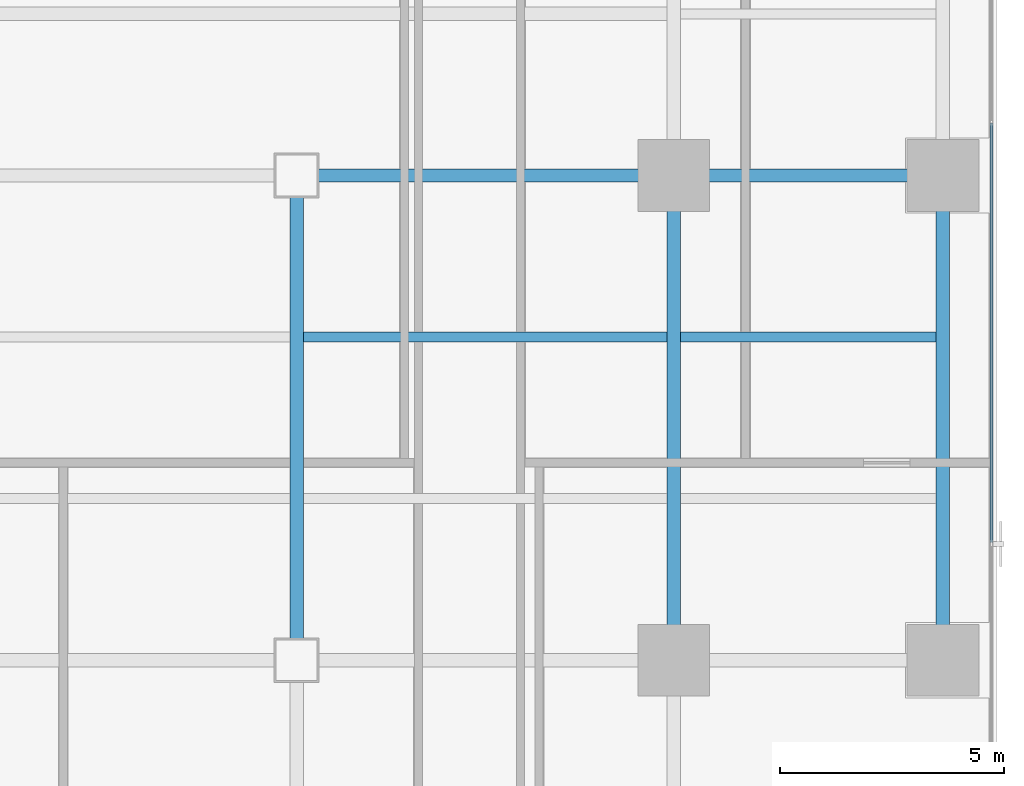
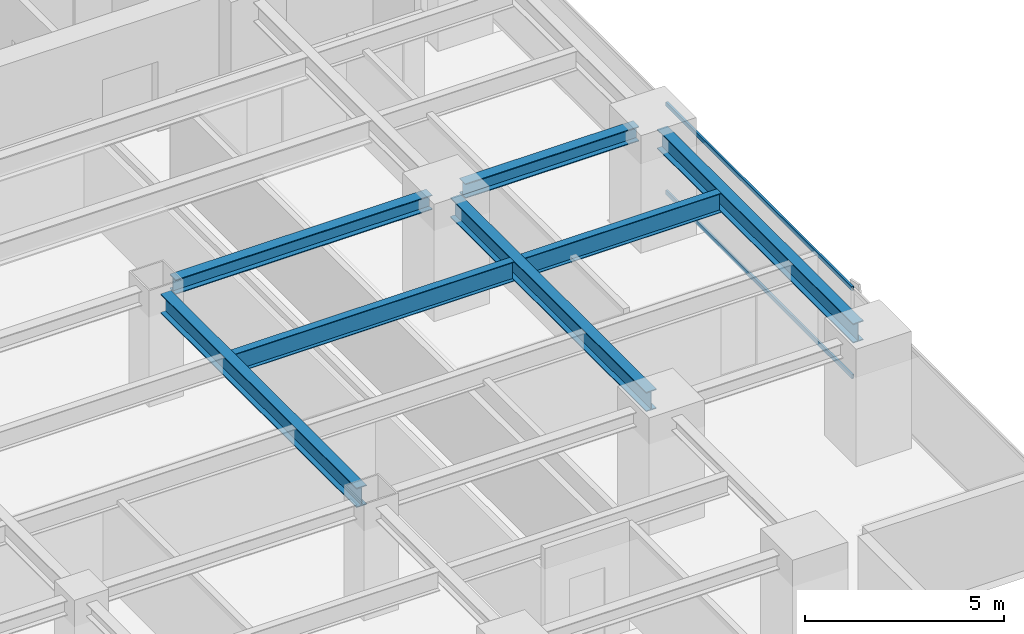
# One storey, part 12 of 28: 7 beams, 2 members, 1 element without a shape of its own.
"""IFC4 building model written with IfcOpenShell, lengths in metres."""

from ifc_helpers import new_model, si_unit, direction, frame, origin, origin_2d, place, context, subcontext, project, spatial, hollow_rectangle, i_section, extrude, source, transform, mapped, material, layer, layer_set, material_profile, profile_set, type_object, element, aggregate, save


model = new_model("IFC4")

# Units and contexts
model_context = context("Model", 3, precision=1e-05, world=origin(), true_north=direction((0.0, 1.0)))
body_context = subcontext(model_context, "Body", "Model", "MODEL_VIEW")
ifc_project = project(units=[si_unit("LENGTHUNIT", "METRE"), si_unit("AREAUNIT", "SQUARE_METRE"), si_unit("VOLUMEUNIT", "CUBIC_METRE"), si_unit("PLANEANGLEUNIT", "RADIAN"), si_unit("MASSUNIT", "GRAM", prefix="KILO")], contexts=[model_context])

# Site, building, storey
site_placement = place(None, origin())
site = spatial("IfcSite", under=ifc_project, at=site_placement, CompositionType="ELEMENT")
building_placement = place(site_placement, origin())
building = spatial("IfcBuilding", under=site, at=building_placement, Name="Sumidabori Civic Tower", CompositionType="ELEMENT")
storey_placement = place(building_placement, frame((0.0, 0.0, 174.800048828125)))
storey = spatial("IfcBuildingStorey", under=building, at=storey_placement, Name="L45", CompositionType="ELEMENT", Elevation=174.800048828125)

# Beams
ifc_material_1 = material(Name="Steel SN490", Category="steel")
ifc_material_profile_1 = material_profile(ifc_material_1, i_section(OverallWidth=0.300048828125, OverallDepth=0.60009765625, WebThickness=0.015380859375, FlangeThickness=0.030029296875, at=origin_2d()), Name="HE 600 B")
ifc_profile_set_1 = profile_set([ifc_material_profile_1], Name="Steel SN490")
beam_type_1 = type_object("IfcBeamType", Name="BM-GIRD-600", PredefinedType="BEAM", material=ifc_profile_set_1)
shared_shape_1 = source(origin(), body_context, "Body", "SweptSolid", [
    extrude(i_section(OverallWidth=0.300048828125, OverallDepth=0.60009765625, WebThickness=0.015380859375, FlangeThickness=0.030029296875, at=origin_2d()), origin(), (0.0, 0.0, 1.0), 9.840087890625),
])
for number, where, z_axis, x_axis, name in (
    (1, (8.39990234375, -10.320068359375, 3.079833984375), (0.0, 1.0, 0.0), (-1.0, 0.0, 0.0), "Primary Girder L45 GY-31"),
    (2, (16.800048828125, -10.320068359375, 3.079833984375), (0.0, 1.0, 0.0), (-1.0, 0.0, 0.0), "Primary Girder L45 GY-33"),
    (3, (22.800048828125, -10.320068359375, 3.079833984375), (0.0, 1.0, 0.0), (-1.0, 0.0, 0.0), "Primary Girder L45 GY-36"),
):
    element("IfcBeam", number, at=place(storey_placement, frame(where, z_axis=z_axis, x_axis=x_axis)), inside=storey, type_object=beam_type_1, Name=name, PredefinedType="BEAM", context=body_context, shape_type="MappedRepresentation", body=[
        mapped(shared_shape_1, transform((0.0, 0.0, 0.0), x_axis=(1.0, 0.0, 0.0), y_axis=(0.0, 1.0, 0.0), z_axis=(0.0, 0.0, 1.0), scale=1.0)),
    ])
ifc_material_profile_2 = material_profile(ifc_material_1, i_section(OverallWidth=0.219970703125, OverallDepth=0.60009765625, WebThickness=0.011962890625, FlangeThickness=0.01904296875, at=origin_2d()), Name="IPE 600")
ifc_profile_set_2 = profile_set([ifc_material_profile_2], Name="Steel SN490")
beam_type_2 = type_object("IfcBeamType", Name="BM-JST-600", PredefinedType="JOIST", material=ifc_profile_set_2)
shared_shape_2 = source(origin(), body_context, "Body", "SweptSolid", [
    extrude(i_section(OverallWidth=0.219970703125, OverallDepth=0.60009765625, WebThickness=0.011962890625, FlangeThickness=0.01904296875, at=origin_2d()), origin(), (0.0, 0.0, 1.0), 5.699951171875),
])
beam_1_placement = place(storey_placement, frame((16.949951171875, -3.60009765625, 3.079833984375), z_axis=(1.0, 0.0, 0.0), x_axis=(0.0, 1.0, 0.0)))
element("IfcBeam", 4, at=beam_1_placement, inside=storey, type_object=beam_type_2, Name="Outer Bay Floor Joist L45 JSTO-42", PredefinedType="JOIST", context=body_context, shape_type="MappedRepresentation", body=[
    mapped(shared_shape_2, transform((0.0, 0.0, 0.0), x_axis=(1.0, 0.0, 0.0), y_axis=(0.0, 1.0, 0.0), z_axis=(0.0, 0.0, 1.0), scale=1.0)),
])
shared_shape_3 = source(origin(), body_context, "Body", "SweptSolid", [
    extrude(i_section(OverallWidth=0.219970703125, OverallDepth=0.60009765625, WebThickness=0.011962890625, FlangeThickness=0.01904296875, at=origin_2d()), origin(), (0.0, 0.0, 1.0), 8.099853515625),
])
beam_2_placement = place(storey_placement, frame((8.550048828125, -3.60009765625, 3.079833984375), z_axis=(1.0, 0.0, 0.0), x_axis=(0.0, 1.0, 0.0)))
element("IfcBeam", 5, at=beam_2_placement, inside=storey, type_object=beam_type_2, Name="South Bay Floor Joist L45 JSTS-60", PredefinedType="JOIST", context=body_context, shape_type="MappedRepresentation", body=[
    mapped(shared_shape_3, transform((0.0, 0.0, 0.0), x_axis=(1.0, 0.0, 0.0), y_axis=(0.0, 1.0, 0.0), z_axis=(0.0, 0.0, 1.0), scale=1.0)),
])
ifc_material_profile_3 = material_profile(ifc_material_1, i_section(OverallWidth=0.300048828125, OverallDepth=0.449951171875, WebThickness=0.013916015625, FlangeThickness=0.02587890625, at=origin_2d()), Name="HE 450 B")
ifc_profile_set_3 = profile_set([ifc_material_profile_3], Name="Steel SN490")
beam_type_3 = type_object("IfcBeamType", Name="BM-GIRD-450", PredefinedType="BEAM", material=ifc_profile_set_3)
shared_shape_4 = source(origin(), body_context, "Body", "SweptSolid", [
    extrude(i_section(OverallWidth=0.300048828125, OverallDepth=0.449951171875, WebThickness=0.013916015625, FlangeThickness=0.02587890625, at=origin_2d()), origin(), (0.0, 0.0, 1.0), 7.440185546875),
])
beam_3_placement = place(storey_placement, frame((8.8798828125, 0.0, 3.155029296875), z_axis=(1.0, 0.0, 0.0), x_axis=(0.0, 1.0, 0.0)))
element("IfcBeam", 6, at=beam_3_placement, inside=storey, type_object=beam_type_3, Name="Primary Girder L45 GX-15", PredefinedType="BEAM", context=body_context, shape_type="MappedRepresentation", body=[
    mapped(shared_shape_4, transform((0.0, 0.0, 0.0), x_axis=(1.0, 0.0, 0.0), y_axis=(0.0, 1.0, 0.0), z_axis=(0.0, 0.0, 1.0), scale=1.0)),
])
shared_shape_5 = source(origin(), body_context, "Body", "SweptSolid", [
    extrude(i_section(OverallWidth=0.300048828125, OverallDepth=0.449951171875, WebThickness=0.013916015625, FlangeThickness=0.02587890625, at=origin_2d()), origin(), (0.0, 0.0, 1.0), 5.0400390625),
])
beam_4_placement = place(storey_placement, frame((17.280029296875, 0.0, 3.155029296875), z_axis=(1.0, 0.0, 0.0), x_axis=(0.0, 1.0, 0.0)))
element("IfcBeam", 7, at=beam_4_placement, inside=storey, type_object=beam_type_3, Name="Primary Girder L45 GX-16", PredefinedType="BEAM", context=body_context, shape_type="MappedRepresentation", body=[
    mapped(shared_shape_5, transform((0.0, 0.0, 0.0), x_axis=(1.0, 0.0, 0.0), y_axis=(0.0, 1.0, 0.0), z_axis=(0.0, 0.0, 1.0), scale=1.0)),
])

# Curtain wall, members
ifc_material_2 = material(Name="Anodised Bronze Aluminium AW-6063-T6", Category="aluminium")
ifc_layer = layer(ifc_material_2, 0.179931640625, Name="Anodised Bronze Aluminium AW-6063-T6")
ifc_layer_set = layer_set([ifc_layer], Name="Anodised Bronze Aluminium AW-6063-T6")
curtain_wall_type = type_object("IfcCurtainWallType", Name="CW-SYS-3", PredefinedType="NOTDEFINED", material=ifc_layer_set)
curtain_wall_placement = place(storey_placement, origin())
curtain_wall = element("IfcCurtainWall", 8, at=curtain_wall_placement, inside=storey, type_object=curtain_wall_type, Name="Curtain Wall CW:L45:R04", PredefinedType="NOTDEFINED")
ifc_material_profile_4 = material_profile(ifc_material_2, hollow_rectangle(XDim=0.06005859375, YDim=0.1298828125, WallThickness=0.0048828125, at=origin_2d()), Name="ALU TRANSOM 130x60")
ifc_profile_set_4 = profile_set([ifc_material_profile_4], Name="Anodised Bronze Aluminium AW-6063-T6")
member_type = type_object("IfcMemberType", Name="CW-TRN-130", PredefinedType="USERDEFINED", material=ifc_profile_set_4)
shared_shape_6 = source(origin(), body_context, "Body", "SweptSolid", [
    extrude(hollow_rectangle(XDim=0.06005859375, YDim=0.1298828125, WallThickness=0.0048828125, at=origin_2d()), origin(), (0.0, 0.0, 1.0), 9.344970703125),
])
member_1_placement = place(storey_placement, frame((23.8798828125, -8.177490234375, 0.030029296875), z_axis=(0.0, 1.0, 0.0), x_axis=(-1.0, 0.0, 0.0)))
member_1 = element("IfcMember", 9, at=member_1_placement, type_object=member_type, Name="CW-3 transom 2.1", ObjectType="TRANSOM", PredefinedType="USERDEFINED", context=body_context, shape_type="MappedRepresentation", body=[
    mapped(shared_shape_6, transform((0.0, 0.0, 0.0), x_axis=(1.0, 0.0, 0.0), y_axis=(0.0, 1.0, 0.0), z_axis=(0.0, 0.0, 1.0), scale=1.0)),
])
member_2_placement = place(storey_placement, frame((23.8798828125, -8.177490234375, 2.72998046875), z_axis=(0.0, 1.0, 0.0), x_axis=(-1.0, 0.0, 0.0)))
member_2 = element("IfcMember", 10, at=member_2_placement, type_object=member_type, Name="CW-3 transom 2.2", ObjectType="TRANSOM", PredefinedType="USERDEFINED", context=body_context, shape_type="MappedRepresentation", body=[
    mapped(shared_shape_6, transform((0.0, 0.0, 0.0), x_axis=(1.0, 0.0, 0.0), y_axis=(0.0, 1.0, 0.0), z_axis=(0.0, 0.0, 1.0), scale=1.0)),
])
aggregate(curtain_wall, [member_1, member_2])

save(model, "model.ifc")
